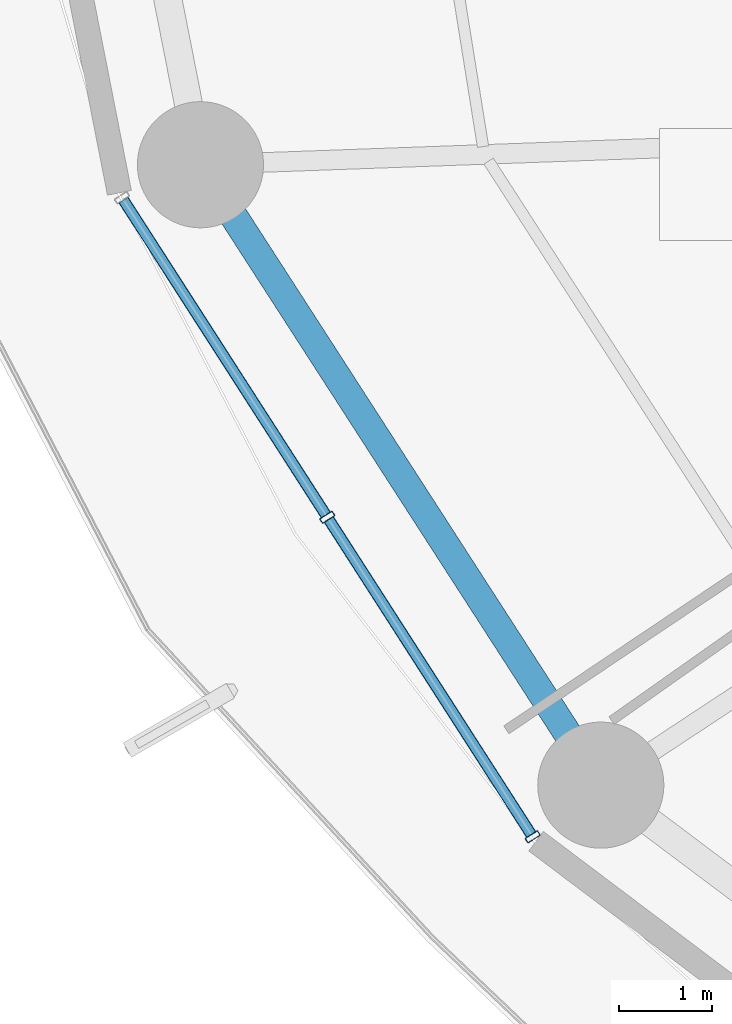
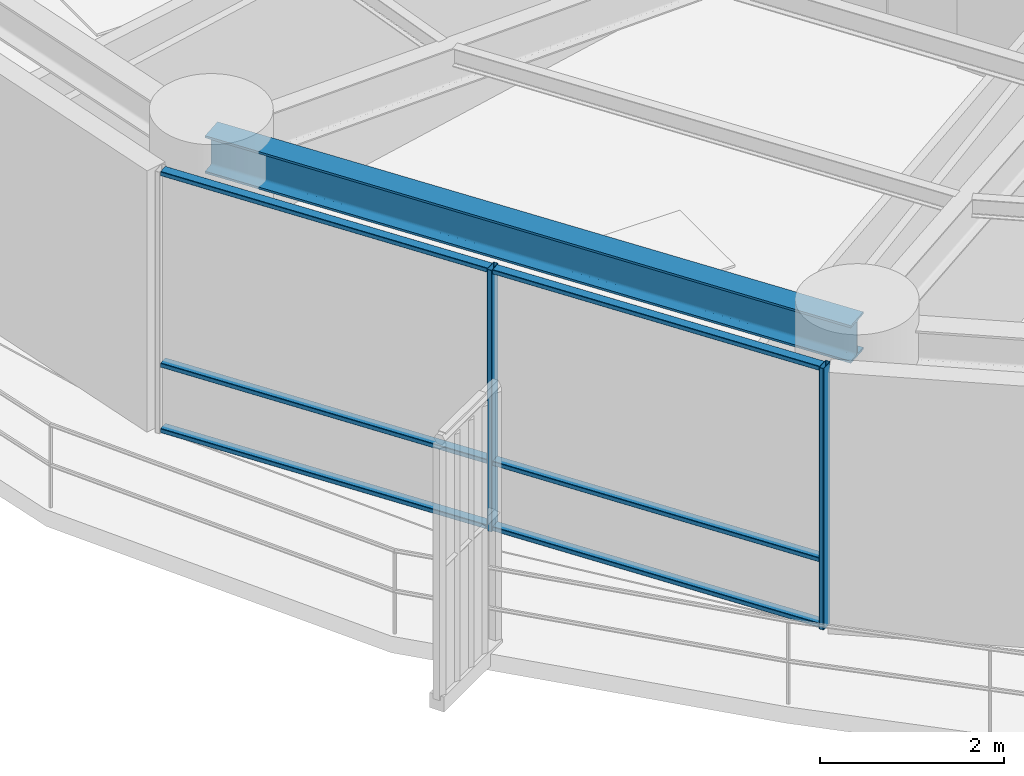
# One storey, part 2 of 35: 8 members, 1 beam, 1 element without a shape of its own.
"""IFC4 building model written with IfcOpenShell, lengths in metres."""

import ifcopenshell
import ifcopenshell.guid

model = None  # the IFC model being written
_history = None  # IfcOwnerHistory: only IFC2X3 demands one
_inside = {}  # id of a spatial element -> (the spatial element, [elements in it])
_under = {}  # id of a project, library or spatial element -> (it, [spatial elements below it])
_declared = {}  # id of a project -> (the project, [libraries it declares])
_typed = {}  # id of a type object -> (the type object, [elements of that type])
_made_of = {}  # id of a material, layer set ... -> (it, [elements and type objects made of it])


def new_model(schema):
    """Start an empty IFC model of exactly this schema.

    Asked for "IFC4X3", IfcOpenShell would pick the latest addendum, in which some entities
    have other attributes; the version numbers below select the first issue.
    IFC2X3 requires an IfcOwnerHistory on every rooted entity: one is made here for all.
    """
    global model, _history
    if schema == "IFC4X3":
        model = ifcopenshell.file(schema_version=(4, 3, 0, 0))
    else:
        model = ifcopenshell.file(schema=schema)
    _inside.clear()
    _under.clear()
    _declared.clear()
    _typed.clear()
    _made_of.clear()
    _history = None
    if model.schema == "IFC2X3":
        org = make("IfcOrganization", Name="unknown")
        user = make(
            "IfcPersonAndOrganization",
            ThePerson=make("IfcPerson", FamilyName="unknown"),
            TheOrganization=org,
        )
        app = make(
            "IfcApplication",
            ApplicationDeveloper=org,
            Version="unknown",
            ApplicationFullName="unknown",
            ApplicationIdentifier="unknown",
        )
        _history = make(
            "IfcOwnerHistory",
            OwningUser=user,
            OwningApplication=app,
            ChangeAction="ADDED",
            CreationDate=0,
        )
    return model


def make(cls, **values):
    """One entity of the class cls with the attributes given. An attribute that is None is left unset."""
    return model.create_entity(
        cls, **{name: value for name, value in values.items() if value is not None}
    )


def rooted(cls, **values):
    """An entity with a GlobalId (a new one), such as an element, a storey or a relation."""
    return make(cls, GlobalId=ifcopenshell.guid.new(), OwnerHistory=_history, **values)


def si_unit(unit_type, name, prefix=None):
    """IfcSIUnit, for example si_unit("LENGTHUNIT", "METRE", prefix="MILLI")."""
    return make("IfcSIUnit", UnitType=unit_type, Prefix=prefix, Name=name)


def assignment(units):
    """IfcUnitAssignment: the units of a project."""
    return None if units is None else make("IfcUnitAssignment", Units=units)


def point(xyz):
    """IfcCartesianPoint."""
    return None if xyz is None else make("IfcCartesianPoint", Coordinates=xyz)


def direction(xyz):
    """IfcDirection."""
    return None if xyz is None else make("IfcDirection", DirectionRatios=xyz)


def frame(location, z_axis=None, x_axis=None):
    """IfcAxis2Placement3D, a coordinate frame: its origin and axes. An axis left out is left unset."""
    return make(
        "IfcAxis2Placement3D",
        Location=point(location),
        Axis=direction(z_axis),
        RefDirection=direction(x_axis),
    )


def frame_2d(location, x_axis=None):
    """IfcAxis2Placement2D, a coordinate frame in the plane: its origin and x axis."""
    return make(
        "IfcAxis2Placement2D", Location=point(location), RefDirection=direction(x_axis)
    )


def origin():
    """The frame at (0, 0, 0) with its axes left unset."""
    return frame((0.0, 0.0, 0.0))


def origin_2d():
    """The frame at (0, 0) in the plane with its x axis left unset."""
    return frame_2d((0.0, 0.0))


def place(relative_to, where):
    """IfcLocalPlacement: puts the frame where relative to a parent placement (None: the world)."""
    return make(
        "IfcLocalPlacement", PlacementRelTo=relative_to, RelativePlacement=where
    )


def context(
    kind, dimensions, precision=None, world=None, true_north=None, identifier=None
):
    """IfcGeometricRepresentationContext, for example the 3D "Model" context."""
    return make(
        "IfcGeometricRepresentationContext",
        ContextIdentifier=identifier,
        ContextType=kind,
        CoordinateSpaceDimension=dimensions,
        Precision=precision,
        WorldCoordinateSystem=world,
        TrueNorth=true_north,
    )


def subcontext(parent, identifier, kind, view, scale=None):
    """IfcGeometricRepresentationSubContext, for example "Body" below "Model"."""
    return make(
        "IfcGeometricRepresentationSubContext",
        ContextIdentifier=identifier,
        ContextType=kind,
        ParentContext=parent,
        TargetScale=scale,
        TargetView=view,
    )


def project(units=None, contexts=None):
    """IfcProject with its units and contexts."""
    return rooted(
        "IfcProject",
        Name="project",
        RepresentationContexts=contexts,
        UnitsInContext=assignment(units),
    )


def spatial(cls, under=None, at=None, **own):
    """A site, building, storey or space (cls), placed at a placement, below another one or the project."""
    s = rooted(cls, ObjectPlacement=at, **own)
    if under is not None:
        _under.setdefault(under.id(), (under, []))[1].append(s)
    return s


def profile(cls, at=None, kind="AREA", **sizes):
    """A parametric profile (cls). Its sizes go by their IFC names, for example OverallWidth=200.0."""
    return make(cls, ProfileType=kind, Position=at, **sizes)


def hollow_rectangle(**sizes):
    """IfcRectangleHollowProfileDef."""
    return profile("IfcRectangleHollowProfileDef", **sizes)


def i_section(**sizes):
    """IfcIShapeProfileDef."""
    return profile("IfcIShapeProfileDef", **sizes)


def extrude(swept, where, along, depth):
    """IfcExtrudedAreaSolid: the profile swept, set in the frame where, extruded along a direction by depth."""
    return make(
        "IfcExtrudedAreaSolid",
        SweptArea=swept,
        Position=where,
        ExtrudedDirection=direction(along),
        Depth=depth,
    )


def shape(context_of_items, identifier, shape_type, items):
    """IfcShapeRepresentation: the items that make up one representation, for example the "Body"."""
    return make(
        "IfcShapeRepresentation",
        ContextOfItems=context_of_items,
        RepresentationIdentifier=identifier,
        RepresentationType=shape_type,
        Items=items,
    )


def material(Name=None, Category=None):
    """IfcMaterial."""
    return make("IfcMaterial", Name=Name, Category=Category)


def layer(
    of_material, thickness, ventilated=None, Name=None, Category=None, Priority=None
):
    """IfcMaterialLayer: one layer of a wall or slab, of a material (None: an air gap)."""
    return make(
        "IfcMaterialLayer",
        Material=of_material,
        LayerThickness=thickness,
        IsVentilated=ventilated,
        Name=Name,
        Category=Category,
        Priority=Priority,
    )


def layer_set(layers, Name=None):
    """IfcMaterialLayerSet."""
    return make("IfcMaterialLayerSet", MaterialLayers=layers, LayerSetName=Name)


def material_profile(
    of_material, cross_section, Name=None, Category=None, Priority=None
):
    """IfcMaterialProfile: a cross section and its material."""
    return make(
        "IfcMaterialProfile",
        Name=Name,
        Material=of_material,
        Profile=cross_section,
        Priority=Priority,
        Category=Category,
    )


def profile_set(profiles, Name=None, composite=None):
    """IfcMaterialProfileSet."""
    return make(
        "IfcMaterialProfileSet",
        Name=Name,
        MaterialProfiles=profiles,
        CompositeProfile=composite,
    )


def made_of(thing, what):
    """Note that an element or type object is made of a material, layer set ...; save() writes the relation."""
    if what is not None:
        _made_of.setdefault(what.id(), (what, []))[1].append(thing)
    return thing


def type_object(cls, material=None, **own):
    """A type object (cls), such as IfcWallType, which elements share."""
    return made_of(rooted(cls, **own), material)


def element(
    cls,
    number,
    at=None,
    inside=None,
    cuts=None,
    type_object=None,
    material=None,
    context=None,
    identifier="Body",
    shape_type=None,
    held_by="IfcProductDefinitionShape",
    body=None,
    shapes=None,
    **own,
):
    """One element of the class cls, such as IfcWall. Its Tag is "e" and its number.

    at: its placement. inside: the storey or other place that contains it. cuts: it is an
    opening in that element (IfcRelVoidsElement). A single representation is given by context,
    identifier, shape_type and body (its items); several are given by shapes. held_by: the class
    of the entity that holds the representations. save() writes the other relations.
    """
    e = rooted(cls, Tag="e%d" % number, ObjectPlacement=at, **own)
    if body is not None:
        shapes = [shape(context, identifier, shape_type, body)]
    if shapes is not None:
        e.Representation = make(held_by, Representations=shapes)
    if inside is not None:
        _inside.setdefault(inside.id(), (inside, []))[1].append(e)
    if cuts is not None:
        rooted(
            "IfcRelVoidsElement", RelatingBuildingElement=cuts, RelatedOpeningElement=e
        )
    if type_object is not None:
        _typed.setdefault(type_object.id(), (type_object, []))[1].append(e)
    return made_of(e, material)


def aggregate(whole, parts):
    """IfcRelAggregates: a whole, such as a stair, and the parts it consists of."""
    return rooted("IfcRelAggregates", RelatingObject=whole, RelatedObjects=parts)


def save(model, path):
    """Write the relations noted so far, then the file.

    IfcRelAggregates (storeys below a building ...), IfcRelContainedInSpatialStructure (elements
    in a storey), IfcRelDefinesByType, IfcRelAssociatesMaterial and IfcRelDeclares: one each for
    every whole, place, type object, material and project.
    """
    for whole, parts in _under.values():
        aggregate(whole, parts)
    for where, things in _inside.values():
        rooted(
            "IfcRelContainedInSpatialStructure",
            RelatedElements=things,
            RelatingStructure=where,
        )
    for kind, things in _typed.values():
        rooted("IfcRelDefinesByType", RelatedObjects=things, RelatingType=kind)
    for what, things in _made_of.values():
        rooted("IfcRelAssociatesMaterial", RelatedObjects=things, RelatingMaterial=what)
    for by, libraries in _declared.values():
        rooted("IfcRelDeclares", RelatingContext=by, RelatedDefinitions=libraries)
    model.write(path)


model = new_model("IFC4")

# Units and contexts
model_context = context("Model", 3, precision=1e-05, world=origin(), true_north=direction((0.0, 1.0)))
body_context = subcontext(model_context, "Body", "Model", "MODEL_VIEW")
ifc_project = project(units=[si_unit("LENGTHUNIT", "METRE"), si_unit("AREAUNIT", "SQUARE_METRE"), si_unit("VOLUMEUNIT", "CUBIC_METRE"), si_unit("PLANEANGLEUNIT", "RADIAN"), si_unit("MASSUNIT", "GRAM", prefix="KILO")], contexts=[model_context])

# Site, building, storey
site_placement = place(None, origin())
site = spatial("IfcSite", under=ifc_project, at=site_placement, CompositionType="ELEMENT")
building_placement = place(site_placement, origin())
building = spatial("IfcBuilding", under=site, at=building_placement, Name="Kelanora Arch Commons", CompositionType="ELEMENT")
storey_placement = place(building_placement, frame((0.0, 0.0, 91.35009765625)))
storey = spatial("IfcBuildingStorey", under=building, at=storey_placement, Name="L23", CompositionType="ELEMENT", Elevation=91.35009765625)

# Beam
ifc_material_1 = material(Name="Steel S355", Category="steel")
ifc_material_profile_1 = material_profile(ifc_material_1, i_section(OverallWidth=0.300048828125, OverallDepth=0.5, WebThickness=0.014404296875, FlangeThickness=0.028076171875, FilletRadius=0.027099609375, at=origin_2d()), Name="HEB500")
ifc_profile_set_1 = profile_set([ifc_material_profile_1], Name="Steel S355")
beam_type = type_object("IfcBeamType", Name="BM-SPN-Z2", PredefinedType="SPANDREL", material=ifc_profile_set_1)
beam_placement = place(storey_placement, frame((50.808349609375, 50.4482421875, 3.239990234375), z_axis=(0.542221144054, -0.840235818649, 0.0), x_axis=(0.840235818649, 0.542221144054, 0.0)))
element("IfcBeam", 1, at=beam_placement, inside=storey, type_object=beam_type, Name="Perimeter Spandrel Beam BS-20 L23", PredefinedType="SPANDREL", context=body_context, shape_type="SweptSolid", body=[
    extrude(i_section(OverallWidth=0.300048828125, OverallDepth=0.5, WebThickness=0.014404296875, FlangeThickness=0.028076171875, FilletRadius=0.027099609375, at=origin_2d()), origin(), (0.0, 0.0, 1.0), 7.90380859375),
])

# Curtain wall, members
ifc_material_2 = material(Name="Terracotta ceramic-fritted low-E glass and aluminium", Category="masonry")
ifc_layer = layer(ifc_material_2, 0.159912109375)
ifc_layer_set = layer_set([ifc_layer], Name="Terracotta ceramic-fritted low-E glass and aluminium")
curtain_wall_type = type_object("IfcCurtainWallType", Name="CW-SYS-01", PredefinedType="NOTDEFINED", material=ifc_layer_set)
curtain_wall_placement = place(storey_placement, origin())
curtain_wall = element("IfcCurtainWall", 2, at=curtain_wall_placement, inside=storey, type_object=curtain_wall_type, Name="Unitised Curtain Wall L23-B10", PredefinedType="NOTDEFINED")
ifc_material_3 = material(Name="Powder-coated aluminium terracotta", Category="masonry")
ifc_material_profile_2 = material_profile(ifc_material_3, hollow_rectangle(XDim=0.159912109375, YDim=0.06005859375, WallThickness=0.0048828125, InnerFilletRadius=0.0048828125, OuterFilletRadius=0.010009765625, at=origin_2d()), Name="CWM160x60")
ifc_profile_set_2 = profile_set([ifc_material_profile_2], Name="Powder-coated aluminium terracotta")
member_type_1 = type_object("IfcMemberType", Name="CWM-STD", PredefinedType="MULLION", material=ifc_profile_set_2)
member_1_placement = place(storey_placement, frame((52.16650390625, 46.6748046875, 0.0), z_axis=(0.0, 0.0, 1.0), x_axis=(0.841268883088, 0.540616931244, 0.0)))
member_1 = element("IfcMember", 3, at=member_1_placement, type_object=member_type_1, Name="CW-01 mullion 2", PredefinedType="MULLION", context=body_context, shape_type="SweptSolid", body=[
    extrude(hollow_rectangle(XDim=0.159912109375, YDim=0.06005859375, WallThickness=0.0048828125, InnerFilletRadius=0.0048828125, OuterFilletRadius=0.010009765625, at=origin_2d()), origin(), (0.0, 0.0, 1.0), 3.474853515625),
])
member_2_placement = place(storey_placement, frame((54.364990234375, 43.253662109375, 0.0), z_axis=(0.0, 0.0, 1.0), x_axis=(0.841268883088, 0.540616931244, 0.0)))
member_2 = element("IfcMember", 4, at=member_2_placement, type_object=member_type_1, Name="CW-01 mullion 3", PredefinedType="MULLION", context=body_context, shape_type="SweptSolid", body=[
    extrude(hollow_rectangle(XDim=0.159912109375, YDim=0.06005859375, WallThickness=0.0048828125, InnerFilletRadius=0.0048828125, OuterFilletRadius=0.010009765625, at=origin_2d()), origin(), (0.0, 0.0, 1.0), 3.474853515625),
])
ifc_material_profile_3 = material_profile(ifc_material_3, hollow_rectangle(XDim=0.1201171875, YDim=0.06005859375, WallThickness=0.0048828125, InnerFilletRadius=0.0048828125, OuterFilletRadius=0.010009765625, at=origin_2d()), Name="CWT120x60")
ifc_profile_set_3 = profile_set([ifc_material_profile_3], Name="Powder-coated aluminium terracotta")
member_type_2 = type_object("IfcMemberType", Name="CWT-STD", PredefinedType="USERDEFINED", material=ifc_profile_set_3)
member_3_placement = place(storey_placement, frame((49.984375, 50.0703125, 0.02978515625), z_axis=(0.540643629734, -0.841251725483, 0.0), x_axis=(0.841251725483, 0.540643629734, 0.0)))
member_3 = element("IfcMember", 5, at=member_3_placement, type_object=member_type_2, Name="CW-01 transom 1.1", ObjectType="TRANSOM", PredefinedType="USERDEFINED", context=body_context, shape_type="SweptSolid", body=[
    extrude(hollow_rectangle(XDim=0.1201171875, YDim=0.06005859375, WallThickness=0.0048828125, InnerFilletRadius=0.0048828125, OuterFilletRadius=0.010009765625, at=origin_2d()), origin(), (0.0, 0.0, 1.0), 4.00634765625),
])
member_4_placement = place(storey_placement, frame((49.984375, 50.0703125, 0.89990234375), z_axis=(0.540643629734, -0.841251725483, 0.0), x_axis=(0.841251725483, 0.540643629734, 0.0)))
member_4 = element("IfcMember", 6, at=member_4_placement, type_object=member_type_2, Name="CW-01 transom 1.2", ObjectType="TRANSOM", PredefinedType="USERDEFINED", context=body_context, shape_type="SweptSolid", body=[
    extrude(hollow_rectangle(XDim=0.1201171875, YDim=0.06005859375, WallThickness=0.0048828125, InnerFilletRadius=0.0048828125, OuterFilletRadius=0.010009765625, at=origin_2d()), origin(), (0.0, 0.0, 1.0), 4.00634765625),
])
member_5_placement = place(storey_placement, frame((49.984375, 50.0703125, 3.44482421875), z_axis=(0.540643629734, -0.841251725483, 0.0), x_axis=(0.841251725483, 0.540643629734, 0.0)))
member_5 = element("IfcMember", 7, at=member_5_placement, type_object=member_type_2, Name="CW-01 transom 1.3", ObjectType="TRANSOM", PredefinedType="USERDEFINED", context=body_context, shape_type="SweptSolid", body=[
    extrude(hollow_rectangle(XDim=0.1201171875, YDim=0.06005859375, WallThickness=0.0048828125, InnerFilletRadius=0.0048828125, OuterFilletRadius=0.010009765625, at=origin_2d()), origin(), (0.0, 0.0, 1.0), 4.00634765625),
])
member_6_placement = place(storey_placement, frame((52.182861328125, 46.6494140625, 0.02978515625), z_axis=(0.540643629734, -0.841251725483, 0.0), x_axis=(0.841251725483, 0.540643629734, 0.0)))
member_6 = element("IfcMember", 8, at=member_6_placement, type_object=member_type_2, Name="CW-01 transom 2.1", ObjectType="TRANSOM", PredefinedType="USERDEFINED", context=body_context, shape_type="SweptSolid", body=[
    extrude(hollow_rectangle(XDim=0.1201171875, YDim=0.06005859375, WallThickness=0.0048828125, InnerFilletRadius=0.0048828125, OuterFilletRadius=0.010009765625, at=origin_2d()), origin(), (0.0, 0.0, 1.0), 4.00634765625),
])
member_7_placement = place(storey_placement, frame((52.182861328125, 46.6494140625, 0.89990234375), z_axis=(0.540643629734, -0.841251725483, 0.0), x_axis=(0.841251725483, 0.540643629734, 0.0)))
member_7 = element("IfcMember", 9, at=member_7_placement, type_object=member_type_2, Name="CW-01 transom 2.2", ObjectType="TRANSOM", PredefinedType="USERDEFINED", context=body_context, shape_type="SweptSolid", body=[
    extrude(hollow_rectangle(XDim=0.1201171875, YDim=0.06005859375, WallThickness=0.0048828125, InnerFilletRadius=0.0048828125, OuterFilletRadius=0.010009765625, at=origin_2d()), origin(), (0.0, 0.0, 1.0), 4.00634765625),
])
member_8_placement = place(storey_placement, frame((52.182861328125, 46.6494140625, 3.44482421875), z_axis=(0.540643629734, -0.841251725483, 0.0), x_axis=(0.841251725483, 0.540643629734, 0.0)))
member_8 = element("IfcMember", 10, at=member_8_placement, type_object=member_type_2, Name="CW-01 transom 2.3", ObjectType="TRANSOM", PredefinedType="USERDEFINED", context=body_context, shape_type="SweptSolid", body=[
    extrude(hollow_rectangle(XDim=0.1201171875, YDim=0.06005859375, WallThickness=0.0048828125, InnerFilletRadius=0.0048828125, OuterFilletRadius=0.010009765625, at=origin_2d()), origin(), (0.0, 0.0, 1.0), 4.00634765625),
])
aggregate(curtain_wall, [member_1, member_2, member_3, member_4, member_5, member_6, member_7, member_8])

save(model, "model.ifc")
